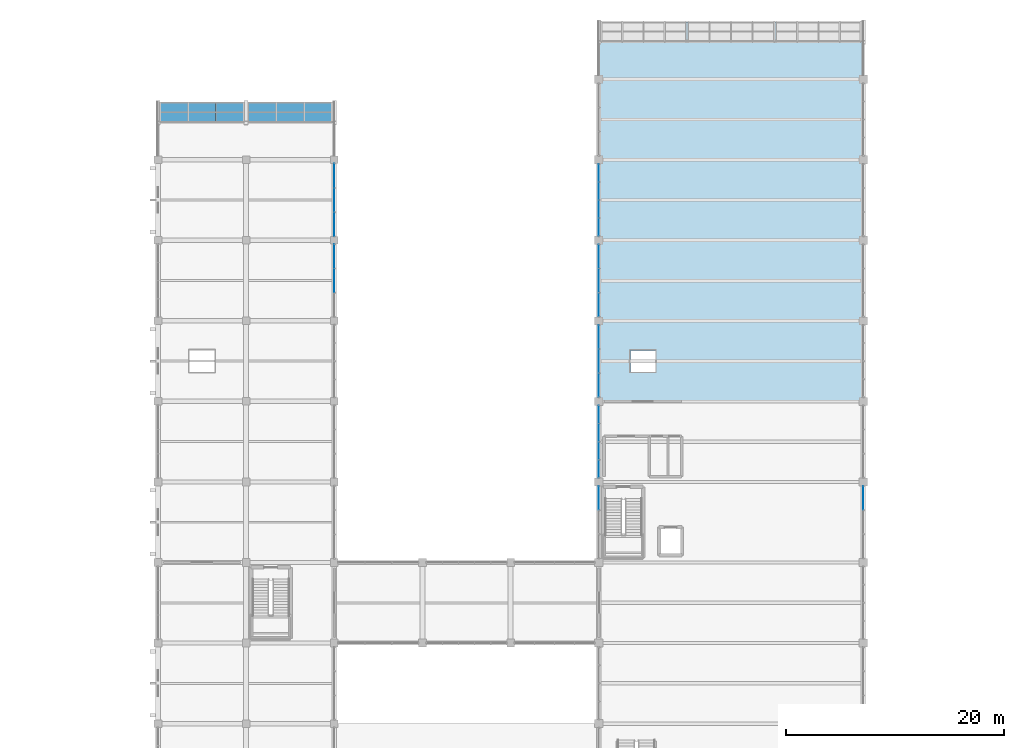
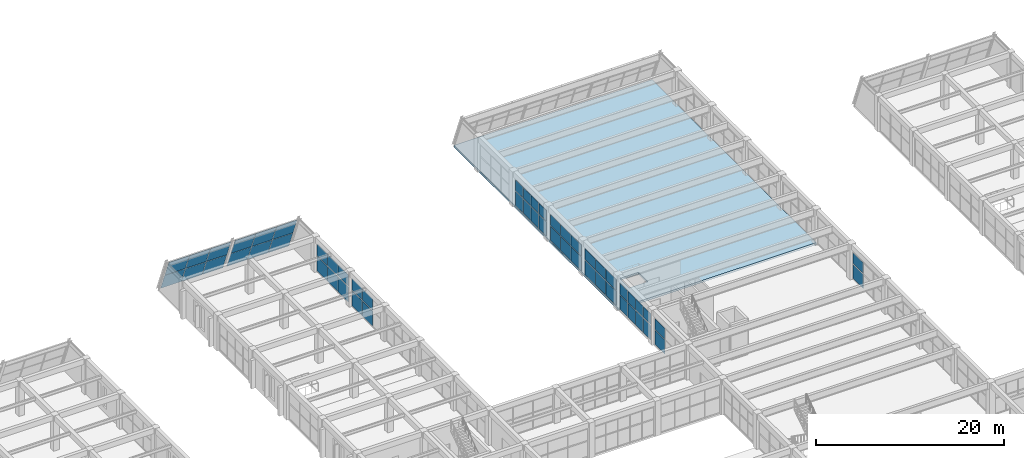
# One storey, part 137 of 161: 54 plates, 1 slab, 10 elements without a shape of their own.
"""IFC4 building model written with IfcOpenShell, lengths in metres."""

from ifc_helpers import new_model, si_unit, direction, frame, origin, origin_2d, place, context, subcontext, project, spatial, polyline, rectangle, outline, extrude, material, layer, layer_set, type_object, element, aggregate, save


model = new_model("IFC4")

# Units and contexts
model_context = context("Model", 3, precision=1e-05, world=origin(), true_north=direction((0.0, 1.0)))
body_context = subcontext(model_context, "Body", "Model", "MODEL_VIEW")
ifc_project = project(units=[si_unit("LENGTHUNIT", "METRE"), si_unit("AREAUNIT", "SQUARE_METRE"), si_unit("VOLUMEUNIT", "CUBIC_METRE"), si_unit("PLANEANGLEUNIT", "RADIAN"), si_unit("MASSUNIT", "GRAM", prefix="KILO")], contexts=[model_context])

# Site, building, storey
site_placement = place(None, origin())
site = spatial("IfcSite", under=ifc_project, at=site_placement, CompositionType="ELEMENT")
building_placement = place(site_placement, origin())
building = spatial("IfcBuilding", under=site, at=building_placement, Name="Cimatlan Art Gallery", CompositionType="ELEMENT")
storey_placement = place(building_placement, frame((0.0, 0.0, 5.39990234375)))
storey = spatial("IfcBuildingStorey", under=building, at=storey_placement, Name="L01", CompositionType="ELEMENT", Elevation=5.39990234375)

# Curtain wall, plates
ifc_material_1 = material(Name="Anodised bronze unitised curtain wall")
curtain_wall_type_1 = type_object("IfcCurtainWallType", Name="CW-V-06642X03577-B4", PredefinedType="NOTDEFINED", material=ifc_material_1)
curtain_wall_1_placement = place(storey_placement, origin())
curtain_wall_1 = element("IfcCurtainWall", 1, at=curtain_wall_1_placement, inside=storey, type_object=curtain_wall_type_1, Name="CW-L01-09-12-W", PredefinedType="NOTDEFINED")
ifc_material_2 = material(Name="Low-E insulated double glazing", Category="glass")
ifc_layer_1 = layer(ifc_material_2, 0.028076171875)
ifc_layer_set_1 = layer_set([ifc_layer_1], Name="Low-E insulated double glazing")
plate_type_1 = type_object("IfcPlateType", Name="PNL-1603X1390", PredefinedType="CURTAIN_PANEL", material=ifc_layer_set_1)
plate_1_placement = place(storey_placement, frame((74.89990234375, 91.709228515625, 2.0654296875), z_axis=(0.0, 0.0, 1.0), x_axis=(0.0, 1.0, 0.0)))
plate_1 = element("IfcPlate", 2, at=plate_1_placement, type_object=plate_type_1, Name="CW-L01-09-12-W-P12", PredefinedType="CURTAIN_PANEL", context=body_context, shape_type="SweptSolid", body=[
    extrude(rectangle(XDim=1.60302734375, YDim=0.028076171875, at=origin_2d()), origin(), (0.0, 0.0, 1.0), 1.389892578125),
])
plate_2_placement = place(storey_placement, frame((74.89990234375, 93.36962890625, 2.0654296875), z_axis=(0.0, 0.0, 1.0), x_axis=(0.0, 1.0, 0.0)))
plate_2 = element("IfcPlate", 3, at=plate_2_placement, type_object=plate_type_1, Name="CW-L01-09-12-W-P22", PredefinedType="CURTAIN_PANEL", context=body_context, shape_type="SweptSolid", body=[
    extrude(rectangle(XDim=1.60302734375, YDim=0.028076171875, at=origin_2d()), origin(), (0.0, 0.0, 1.0), 1.389892578125),
])
plate_3_placement = place(storey_placement, frame((74.89990234375, 95.0302734375, 2.0654296875), z_axis=(0.0, 0.0, 1.0), x_axis=(0.0, 1.0, 0.0)))
plate_3 = element("IfcPlate", 4, at=plate_3_placement, type_object=plate_type_1, Name="CW-L01-09-12-W-P32", PredefinedType="CURTAIN_PANEL", context=body_context, shape_type="SweptSolid", body=[
    extrude(rectangle(XDim=1.60302734375, YDim=0.028076171875, at=origin_2d()), origin(), (0.0, 0.0, 1.0), 1.389892578125),
])
plate_4_placement = place(storey_placement, frame((74.89990234375, 96.690673828125, 2.0654296875), z_axis=(0.0, 0.0, 1.0), x_axis=(0.0, 1.0, 0.0)))
plate_4 = element("IfcPlate", 5, at=plate_4_placement, type_object=plate_type_1, Name="CW-L01-09-12-W-P42", PredefinedType="CURTAIN_PANEL", context=body_context, shape_type="SweptSolid", body=[
    extrude(rectangle(XDim=1.60302734375, YDim=0.028076171875, at=origin_2d()), origin(), (0.0, 0.0, 1.0), 1.389892578125),
])

curtain_wall_type_2 = type_object("IfcCurtainWallType", Name="CW-V-06642X03622-B4", PredefinedType="NOTDEFINED", material=ifc_material_1)
curtain_wall_2_placement = place(storey_placement, origin())
curtain_wall_2 = element("IfcCurtainWall", 6, at=curtain_wall_2_placement, inside=storey, type_object=curtain_wall_type_2, Name="CW-L01-09-09-W", PredefinedType="NOTDEFINED")
ifc_layer_2 = layer(ifc_material_2, 0.028076171875)
ifc_layer_set_2 = layer_set([ifc_layer_2], Name="Low-E insulated double glazing")
plate_type_2 = type_object("IfcPlateType", Name="PNL-1603X1410", PredefinedType="CURTAIN_PANEL", material=ifc_layer_set_2)
plate_5_placement = place(storey_placement, frame((74.89990234375, 69.50927734375, 2.09033203125), z_axis=(0.0, 0.0, 1.0), x_axis=(0.0, 1.0, 0.0)))
plate_5 = element("IfcPlate", 7, at=plate_5_placement, type_object=plate_type_2, Name="CW-L01-09-09-W-P12", PredefinedType="CURTAIN_PANEL", context=body_context, shape_type="SweptSolid", body=[
    extrude(rectangle(XDim=1.60302734375, YDim=0.028076171875, at=origin_2d()), origin(), (0.0, 0.0, 1.0), 1.409912109375),
])
plate_6_placement = place(storey_placement, frame((74.89990234375, 71.169677734375, 2.09033203125), z_axis=(0.0, 0.0, 1.0), x_axis=(0.0, 1.0, 0.0)))
plate_6 = element("IfcPlate", 8, at=plate_6_placement, type_object=plate_type_2, Name="CW-L01-09-09-W-P22", PredefinedType="CURTAIN_PANEL", context=body_context, shape_type="SweptSolid", body=[
    extrude(rectangle(XDim=1.60302734375, YDim=0.028076171875, at=origin_2d()), origin(), (0.0, 0.0, 1.0), 1.409912109375),
])
plate_7_placement = place(storey_placement, frame((74.89990234375, 72.830322265625, 2.09033203125), z_axis=(0.0, 0.0, 1.0), x_axis=(0.0, 1.0, 0.0)))
plate_7 = element("IfcPlate", 9, at=plate_7_placement, type_object=plate_type_2, Name="CW-L01-09-09-W-P32", PredefinedType="CURTAIN_PANEL", context=body_context, shape_type="SweptSolid", body=[
    extrude(rectangle(XDim=1.60302734375, YDim=0.028076171875, at=origin_2d()), origin(), (0.0, 0.0, 1.0), 1.409912109375),
])
plate_8_placement = place(storey_placement, frame((74.89990234375, 74.49072265625, 2.09033203125), z_axis=(0.0, 0.0, 1.0), x_axis=(0.0, 1.0, 0.0)))
plate_8 = element("IfcPlate", 10, at=plate_8_placement, type_object=plate_type_2, Name="CW-L01-09-09-W-P42", PredefinedType="CURTAIN_PANEL", context=body_context, shape_type="SweptSolid", body=[
    extrude(rectangle(XDim=1.60302734375, YDim=0.028076171875, at=origin_2d()), origin(), (0.0, 0.0, 1.0), 1.409912109375),
])

# Plate
ifc_layer_3 = layer(ifc_material_2, 0.028076171875)
ifc_layer_set_3 = layer_set([ifc_layer_3], Name="Low-E insulated double glazing")
plate_type_3 = type_object("IfcPlateType", Name="PNL-1603X1819", PredefinedType="CURTAIN_PANEL", material=ifc_layer_set_3)
plate_9_placement = place(storey_placement, frame((74.89990234375, 91.709228515625, 0.1220703125), z_axis=(0.0, 0.0, 1.0), x_axis=(0.0, 1.0, 0.0)))
plate_9 = element("IfcPlate", 11, at=plate_9_placement, type_object=plate_type_3, Name="CW-L01-09-12-W-P11", PredefinedType="CURTAIN_PANEL", context=body_context, shape_type="SweptSolid", body=[
    extrude(rectangle(XDim=1.60302734375, YDim=0.028076171875, at=origin_2d()), origin(), (0.0, 0.0, 1.0), 1.819091796875),
])

plate_10_placement = place(storey_placement, frame((74.89990234375, 93.36962890625, 0.1220703125), z_axis=(0.0, 0.0, 1.0), x_axis=(0.0, 1.0, 0.0)))
plate_10 = element("IfcPlate", 12, at=plate_10_placement, type_object=plate_type_3, Name="CW-L01-09-12-W-P21", PredefinedType="CURTAIN_PANEL", context=body_context, shape_type="SweptSolid", body=[
    extrude(rectangle(XDim=1.60302734375, YDim=0.028076171875, at=origin_2d()), origin(), (0.0, 0.0, 1.0), 1.819091796875),
])

plate_11_placement = place(storey_placement, frame((74.89990234375, 95.0302734375, 0.1220703125), z_axis=(0.0, 0.0, 1.0), x_axis=(0.0, 1.0, 0.0)))
plate_11 = element("IfcPlate", 13, at=plate_11_placement, type_object=plate_type_3, Name="CW-L01-09-12-W-P31", PredefinedType="CURTAIN_PANEL", context=body_context, shape_type="SweptSolid", body=[
    extrude(rectangle(XDim=1.60302734375, YDim=0.028076171875, at=origin_2d()), origin(), (0.0, 0.0, 1.0), 1.819091796875),
])

plate_12_placement = place(storey_placement, frame((74.89990234375, 96.690673828125, 0.1220703125), z_axis=(0.0, 0.0, 1.0), x_axis=(0.0, 1.0, 0.0)))
plate_12 = element("IfcPlate", 14, at=plate_12_placement, type_object=plate_type_3, Name="CW-L01-09-12-W-P41", PredefinedType="CURTAIN_PANEL", context=body_context, shape_type="SweptSolid", body=[
    extrude(rectangle(XDim=1.60302734375, YDim=0.028076171875, at=origin_2d()), origin(), (0.0, 0.0, 1.0), 1.819091796875),
])

aggregate(curtain_wall_1, [plate_9, plate_1, plate_10, plate_2, plate_11, plate_3, plate_12, plate_4])

ifc_layer_4 = layer(ifc_material_2, 0.028076171875)
ifc_layer_set_4 = layer_set([ifc_layer_4], Name="Low-E insulated double glazing")
plate_type_4 = type_object("IfcPlateType", Name="PNL-1603X1844", PredefinedType="CURTAIN_PANEL", material=ifc_layer_set_4)
plate_13_placement = place(storey_placement, frame((74.89990234375, 69.50927734375, 0.1220703125), z_axis=(0.0, 0.0, 1.0), x_axis=(0.0, 1.0, 0.0)))
plate_13 = element("IfcPlate", 15, at=plate_13_placement, type_object=plate_type_4, Name="CW-L01-09-09-W-P11", PredefinedType="CURTAIN_PANEL", context=body_context, shape_type="SweptSolid", body=[
    extrude(rectangle(XDim=1.60302734375, YDim=0.028076171875, at=origin_2d()), origin(), (0.0, 0.0, 1.0), 1.843994140625),
])

plate_14_placement = place(storey_placement, frame((74.89990234375, 71.169677734375, 0.1220703125), z_axis=(0.0, 0.0, 1.0), x_axis=(0.0, 1.0, 0.0)))
plate_14 = element("IfcPlate", 16, at=plate_14_placement, type_object=plate_type_4, Name="CW-L01-09-09-W-P21", PredefinedType="CURTAIN_PANEL", context=body_context, shape_type="SweptSolid", body=[
    extrude(rectangle(XDim=1.60302734375, YDim=0.028076171875, at=origin_2d()), origin(), (0.0, 0.0, 1.0), 1.843994140625),
])

plate_15_placement = place(storey_placement, frame((74.89990234375, 72.830322265625, 0.1220703125), z_axis=(0.0, 0.0, 1.0), x_axis=(0.0, 1.0, 0.0)))
plate_15 = element("IfcPlate", 17, at=plate_15_placement, type_object=plate_type_4, Name="CW-L01-09-09-W-P31", PredefinedType="CURTAIN_PANEL", context=body_context, shape_type="SweptSolid", body=[
    extrude(rectangle(XDim=1.60302734375, YDim=0.028076171875, at=origin_2d()), origin(), (0.0, 0.0, 1.0), 1.843994140625),
])

plate_16_placement = place(storey_placement, frame((74.89990234375, 74.49072265625, 0.1220703125), z_axis=(0.0, 0.0, 1.0), x_axis=(0.0, 1.0, 0.0)))
plate_16 = element("IfcPlate", 18, at=plate_16_placement, type_object=plate_type_4, Name="CW-L01-09-09-W-P41", PredefinedType="CURTAIN_PANEL", context=body_context, shape_type="SweptSolid", body=[
    extrude(rectangle(XDim=1.60302734375, YDim=0.028076171875, at=origin_2d()), origin(), (0.0, 0.0, 1.0), 1.843994140625),
])

aggregate(curtain_wall_2, [plate_13, plate_5, plate_14, plate_6, plate_15, plate_7, plate_16, plate_8])

# Curtain wall, plate
curtain_wall_type_3 = type_object("IfcCurtainWallType", Name="CW-V-06642X03547-B3", PredefinedType="NOTDEFINED", material=ifc_material_1)
curtain_wall_3_placement = place(storey_placement, origin())
curtain_wall_3 = element("IfcCurtainWall", 19, at=curtain_wall_3_placement, inside=storey, type_object=curtain_wall_type_3, Name="CW-L01-09-08-W", PredefinedType="NOTDEFINED")
ifc_layer_5 = layer(ifc_material_2, 0.028076171875)
ifc_layer_set_5 = layer_set([ifc_layer_5], Name="Low-E insulated double glazing")
plate_type_5 = type_object("IfcPlateType", Name="PNL-2156X1377", PredefinedType="CURTAIN_PANEL", material=ifc_layer_set_5)
plate_17_placement = place(storey_placement, frame((74.89990234375, 66.81396484375, 2.04833984375), z_axis=(0.0, 0.0, 1.0), x_axis=(0.0, 1.0, 0.0)))
plate_17 = element("IfcPlate", 20, at=plate_17_placement, type_object=plate_type_5, Name="CW-L01-09-08-W-P32", PredefinedType="CURTAIN_PANEL", context=body_context, shape_type="SweptSolid", body=[
    extrude(rectangle(XDim=2.156005859375, YDim=0.028076171875, at=origin_2d()), origin(), (0.0, 0.0, 1.0), 1.376953125),
])

curtain_wall_4_placement = place(storey_placement, origin())
curtain_wall_4 = element("IfcCurtainWall", 21, at=curtain_wall_4_placement, inside=storey, type_object=curtain_wall_type_3, Name="CW-L01-11-08-E", PredefinedType="NOTDEFINED")
plate_18_placement = place(storey_placement, frame((99.199951171875, 66.81396484375, 2.04833984375), z_axis=(0.0, 0.0, 1.0), x_axis=(0.0, -1.0, 0.0)))
plate_18 = element("IfcPlate", 22, at=plate_18_placement, type_object=plate_type_5, Name="CW-L01-11-08-E-P12", PredefinedType="CURTAIN_PANEL", context=body_context, shape_type="SweptSolid", body=[
    extrude(rectangle(XDim=2.156005859375, YDim=0.028076171875, at=origin_2d()), origin(), (0.0, 0.0, 1.0), 1.376953125),
])

# Curtain wall, plates
curtain_wall_type_4 = type_object("IfcCurtainWallType", Name="CW-V-06642X03592-B3", PredefinedType="NOTDEFINED", material=ifc_material_1)
curtain_wall_5_placement = place(storey_placement, origin())
curtain_wall_5 = element("IfcCurtainWall", 23, at=curtain_wall_5_placement, inside=storey, type_object=curtain_wall_type_4, Name="CW-L01-09-11-W", PredefinedType="NOTDEFINED")
ifc_layer_6 = layer(ifc_material_2, 0.028076171875)
ifc_layer_set_6 = layer_set([ifc_layer_6], Name="Low-E insulated double glazing")
plate_type_6 = type_object("IfcPlateType", Name="PNL-2156X1397", PredefinedType="CURTAIN_PANEL", material=ifc_layer_set_6)
plate_19_placement = place(storey_placement, frame((74.89990234375, 84.5859375, 2.0732421875), z_axis=(0.0, 0.0, 1.0), x_axis=(0.0, 1.0, 0.0)))
plate_19 = element("IfcPlate", 24, at=plate_19_placement, type_object=plate_type_6, Name="CW-L01-09-11-W-P12", PredefinedType="CURTAIN_PANEL", context=body_context, shape_type="SweptSolid", body=[
    extrude(rectangle(XDim=2.156005859375, YDim=0.028076171875, at=origin_2d()), origin(), (0.0, 0.0, 1.0), 1.39697265625),
])
plate_20_placement = place(storey_placement, frame((74.89990234375, 86.800048828125, 2.0732421875), z_axis=(0.0, 0.0, 1.0), x_axis=(0.0, 1.0, 0.0)))
plate_20 = element("IfcPlate", 25, at=plate_20_placement, type_object=plate_type_6, Name="CW-L01-09-11-W-P22", PredefinedType="CURTAIN_PANEL", context=body_context, shape_type="SweptSolid", body=[
    extrude(rectangle(XDim=2.156005859375, YDim=0.028076171875, at=origin_2d()), origin(), (0.0, 0.0, 1.0), 1.39697265625),
])
plate_21_placement = place(storey_placement, frame((74.89990234375, 89.013916015625, 2.0732421875), z_axis=(0.0, 0.0, 1.0), x_axis=(0.0, 1.0, 0.0)))
plate_21 = element("IfcPlate", 26, at=plate_21_placement, type_object=plate_type_6, Name="CW-L01-09-11-W-P32", PredefinedType="CURTAIN_PANEL", context=body_context, shape_type="SweptSolid", body=[
    extrude(rectangle(XDim=2.156005859375, YDim=0.028076171875, at=origin_2d()), origin(), (0.0, 0.0, 1.0), 1.39697265625),
])

curtain_wall_type_5 = type_object("IfcCurtainWallType", Name="CW-V-06642X03607-B3", PredefinedType="NOTDEFINED", material=ifc_material_1)
curtain_wall_6_placement = place(storey_placement, origin())
curtain_wall_6 = element("IfcCurtainWall", 27, at=curtain_wall_6_placement, inside=storey, type_object=curtain_wall_type_5, Name="CW-L01-09-10-W", PredefinedType="NOTDEFINED")
ifc_layer_7 = layer(ifc_material_2, 0.028076171875)
ifc_layer_set_7 = layer_set([ifc_layer_7], Name="Low-E insulated double glazing")
plate_type_7 = type_object("IfcPlateType", Name="PNL-2156X1403", PredefinedType="CURTAIN_PANEL", material=ifc_layer_set_7)
plate_22_placement = place(storey_placement, frame((74.89990234375, 77.18603515625, 2.08203125), z_axis=(0.0, 0.0, 1.0), x_axis=(0.0, 1.0, 0.0)))
plate_22 = element("IfcPlate", 28, at=plate_22_placement, type_object=plate_type_7, Name="CW-L01-09-10-W-P12", PredefinedType="CURTAIN_PANEL", context=body_context, shape_type="SweptSolid", body=[
    extrude(rectangle(XDim=2.156005859375, YDim=0.028076171875, at=origin_2d()), origin(), (0.0, 0.0, 1.0), 1.403076171875),
])
plate_23_placement = place(storey_placement, frame((74.89990234375, 79.39990234375, 2.08203125), z_axis=(0.0, 0.0, 1.0), x_axis=(0.0, 1.0, 0.0)))
plate_23 = element("IfcPlate", 29, at=plate_23_placement, type_object=plate_type_7, Name="CW-L01-09-10-W-P22", PredefinedType="CURTAIN_PANEL", context=body_context, shape_type="SweptSolid", body=[
    extrude(rectangle(XDim=2.156005859375, YDim=0.028076171875, at=origin_2d()), origin(), (0.0, 0.0, 1.0), 1.403076171875),
])
plate_24_placement = place(storey_placement, frame((74.89990234375, 81.614013671875, 2.08203125), z_axis=(0.0, 0.0, 1.0), x_axis=(0.0, 1.0, 0.0)))
plate_24 = element("IfcPlate", 30, at=plate_24_placement, type_object=plate_type_7, Name="CW-L01-09-10-W-P32", PredefinedType="CURTAIN_PANEL", context=body_context, shape_type="SweptSolid", body=[
    extrude(rectangle(XDim=2.156005859375, YDim=0.028076171875, at=origin_2d()), origin(), (0.0, 0.0, 1.0), 1.403076171875),
])

# Plate
ifc_layer_8 = layer(ifc_material_2, 0.028076171875)
ifc_layer_set_8 = layer_set([ifc_layer_8], Name="Low-E insulated double glazing")
plate_type_8 = type_object("IfcPlateType", Name="PNL-2156X1802", PredefinedType="CURTAIN_PANEL", material=ifc_layer_set_8)
plate_25_placement = place(storey_placement, frame((74.89990234375, 66.81396484375, 0.1220703125), z_axis=(0.0, 0.0, 1.0), x_axis=(0.0, 1.0, 0.0)))
plate_25 = element("IfcPlate", 31, at=plate_25_placement, type_object=plate_type_8, Name="CW-L01-09-08-W-P31", PredefinedType="CURTAIN_PANEL", context=body_context, shape_type="SweptSolid", body=[
    extrude(rectangle(XDim=2.156005859375, YDim=0.028076171875, at=origin_2d()), origin(), (0.0, 0.0, 1.0), 1.802001953125),
])

aggregate(curtain_wall_3, [plate_25, plate_17])

plate_26_placement = place(storey_placement, frame((99.199951171875, 66.81396484375, 0.1220703125), z_axis=(0.0, 0.0, 1.0), x_axis=(0.0, -1.0, 0.0)))
plate_26 = element("IfcPlate", 32, at=plate_26_placement, type_object=plate_type_8, Name="CW-L01-11-08-E-P11", PredefinedType="CURTAIN_PANEL", context=body_context, shape_type="SweptSolid", body=[
    extrude(rectangle(XDim=2.156005859375, YDim=0.028076171875, at=origin_2d()), origin(), (0.0, 0.0, 1.0), 1.802001953125),
])

aggregate(curtain_wall_4, [plate_26, plate_18])

ifc_layer_9 = layer(ifc_material_2, 0.028076171875)
ifc_layer_set_9 = layer_set([ifc_layer_9], Name="Low-E insulated double glazing")
plate_type_9 = type_object("IfcPlateType", Name="PNL-2156X1827", PredefinedType="CURTAIN_PANEL", material=ifc_layer_set_9)
plate_27_placement = place(storey_placement, frame((74.89990234375, 84.5859375, 0.12255859375), z_axis=(0.0, 0.0, 1.0), x_axis=(0.0, 1.0, 0.0)))
plate_27 = element("IfcPlate", 33, at=plate_27_placement, type_object=plate_type_9, Name="CW-L01-09-11-W-P11", PredefinedType="CURTAIN_PANEL", context=body_context, shape_type="SweptSolid", body=[
    extrude(rectangle(XDim=2.156005859375, YDim=0.028076171875, at=origin_2d()), origin(), (0.0, 0.0, 1.0), 1.826904296875),
])

plate_28_placement = place(storey_placement, frame((74.89990234375, 86.800048828125, 0.12255859375), z_axis=(0.0, 0.0, 1.0), x_axis=(0.0, 1.0, 0.0)))
plate_28 = element("IfcPlate", 34, at=plate_28_placement, type_object=plate_type_9, Name="CW-L01-09-11-W-P21", PredefinedType="CURTAIN_PANEL", context=body_context, shape_type="SweptSolid", body=[
    extrude(rectangle(XDim=2.156005859375, YDim=0.028076171875, at=origin_2d()), origin(), (0.0, 0.0, 1.0), 1.826904296875),
])

plate_29_placement = place(storey_placement, frame((74.89990234375, 89.013916015625, 0.12255859375), z_axis=(0.0, 0.0, 1.0), x_axis=(0.0, 1.0, 0.0)))
plate_29 = element("IfcPlate", 35, at=plate_29_placement, type_object=plate_type_9, Name="CW-L01-09-11-W-P31", PredefinedType="CURTAIN_PANEL", context=body_context, shape_type="SweptSolid", body=[
    extrude(rectangle(XDim=2.156005859375, YDim=0.028076171875, at=origin_2d()), origin(), (0.0, 0.0, 1.0), 1.826904296875),
])

aggregate(curtain_wall_5, [plate_27, plate_19, plate_28, plate_20, plate_29, plate_21])

ifc_layer_10 = layer(ifc_material_2, 0.028076171875)
ifc_layer_set_10 = layer_set([ifc_layer_10], Name="Low-E insulated double glazing")
plate_type_10 = type_object("IfcPlateType", Name="PNL-2156X1836", PredefinedType="CURTAIN_PANEL", material=ifc_layer_set_10)
plate_30_placement = place(storey_placement, frame((74.89990234375, 77.18603515625, 0.1220703125), z_axis=(0.0, 0.0, 1.0), x_axis=(0.0, 1.0, 0.0)))
plate_30 = element("IfcPlate", 36, at=plate_30_placement, type_object=plate_type_10, Name="CW-L01-09-10-W-P11", PredefinedType="CURTAIN_PANEL", context=body_context, shape_type="SweptSolid", body=[
    extrude(rectangle(XDim=2.156005859375, YDim=0.028076171875, at=origin_2d()), origin(), (0.0, 0.0, 1.0), 1.8359375),
])

plate_31_placement = place(storey_placement, frame((74.89990234375, 79.39990234375, 0.1220703125), z_axis=(0.0, 0.0, 1.0), x_axis=(0.0, 1.0, 0.0)))
plate_31 = element("IfcPlate", 37, at=plate_31_placement, type_object=plate_type_10, Name="CW-L01-09-10-W-P21", PredefinedType="CURTAIN_PANEL", context=body_context, shape_type="SweptSolid", body=[
    extrude(rectangle(XDim=2.156005859375, YDim=0.028076171875, at=origin_2d()), origin(), (0.0, 0.0, 1.0), 1.8359375),
])

plate_32_placement = place(storey_placement, frame((74.89990234375, 81.614013671875, 0.1220703125), z_axis=(0.0, 0.0, 1.0), x_axis=(0.0, 1.0, 0.0)))
plate_32 = element("IfcPlate", 38, at=plate_32_placement, type_object=plate_type_10, Name="CW-L01-09-10-W-P31", PredefinedType="CURTAIN_PANEL", context=body_context, shape_type="SweptSolid", body=[
    extrude(rectangle(XDim=2.156005859375, YDim=0.028076171875, at=origin_2d()), origin(), (0.0, 0.0, 1.0), 1.8359375),
])

aggregate(curtain_wall_6, [plate_30, plate_22, plate_31, plate_23, plate_32, plate_24])

# Curtain wall, plates
curtain_wall_type_6 = type_object("IfcCurtainWallType", Name="CW-V-06692X03750-B3", PredefinedType="NOTDEFINED", material=ifc_material_1)
curtain_wall_7_placement = place(storey_placement, origin())
curtain_wall_7 = element("IfcCurtainWall", 39, at=curtain_wall_7_placement, inside=storey, type_object=curtain_wall_type_6, Name="CW-L01-05-12-E", PredefinedType="NOTDEFINED")
ifc_layer_11 = layer(ifc_material_2, 0.028076171875)
ifc_layer_set_11 = layer_set([ifc_layer_11], Name="Low-E insulated double glazing")
plate_type_11 = type_object("IfcPlateType", Name="PNL-2173X1466", PredefinedType="CURTAIN_PANEL", material=ifc_layer_set_11)
plate_33_placement = place(storey_placement, frame((50.60009765625, 96.4306640625, 2.162109375), z_axis=(0.0, 0.0, 1.0), x_axis=(0.0, -1.0, 0.0)))
plate_33 = element("IfcPlate", 40, at=plate_33_placement, type_object=plate_type_11, Name="CW-L01-05-12-E-P12", PredefinedType="CURTAIN_PANEL", context=body_context, shape_type="SweptSolid", body=[
    extrude(rectangle(XDim=2.173095703125, YDim=0.028076171875, at=origin_2d()), origin(), (0.0, 0.0, 1.0), 1.466064453125),
])
plate_34_placement = place(storey_placement, frame((50.60009765625, 94.199951171875, 2.162109375), z_axis=(0.0, 0.0, 1.0), x_axis=(0.0, -1.0, 0.0)))
plate_34 = element("IfcPlate", 41, at=plate_34_placement, type_object=plate_type_11, Name="CW-L01-05-12-E-P22", PredefinedType="CURTAIN_PANEL", context=body_context, shape_type="SweptSolid", body=[
    extrude(rectangle(XDim=2.173095703125, YDim=0.028076171875, at=origin_2d()), origin(), (0.0, 0.0, 1.0), 1.466064453125),
])
plate_35_placement = place(storey_placement, frame((50.60009765625, 91.96923828125, 2.162109375), z_axis=(0.0, 0.0, 1.0), x_axis=(0.0, -1.0, 0.0)))
plate_35 = element("IfcPlate", 42, at=plate_35_placement, type_object=plate_type_11, Name="CW-L01-05-12-E-P32", PredefinedType="CURTAIN_PANEL", context=body_context, shape_type="SweptSolid", body=[
    extrude(rectangle(XDim=2.173095703125, YDim=0.028076171875, at=origin_2d()), origin(), (0.0, 0.0, 1.0), 1.466064453125),
])

curtain_wall_type_7 = type_object("IfcCurtainWallType", Name="CW-V-06692X03765-B3", PredefinedType="NOTDEFINED", material=ifc_material_1)
curtain_wall_8_placement = place(storey_placement, origin())
curtain_wall_8 = element("IfcCurtainWall", 43, at=curtain_wall_8_placement, inside=storey, type_object=curtain_wall_type_7, Name="CW-L01-05-11-E", PredefinedType="NOTDEFINED")
ifc_layer_12 = layer(ifc_material_2, 0.028076171875)
ifc_layer_set_12 = layer_set([ifc_layer_12], Name="Low-E insulated double glazing")
plate_type_12 = type_object("IfcPlateType", Name="PNL-2173X1473", PredefinedType="CURTAIN_PANEL", material=ifc_layer_set_12)
plate_36_placement = place(storey_placement, frame((50.60009765625, 89.03076171875, 2.17041015625), z_axis=(0.0, 0.0, 1.0), x_axis=(0.0, -1.0, 0.0)))
plate_36 = element("IfcPlate", 44, at=plate_36_placement, type_object=plate_type_12, Name="CW-L01-05-11-E-P12", PredefinedType="CURTAIN_PANEL", context=body_context, shape_type="SweptSolid", body=[
    extrude(rectangle(XDim=2.173095703125, YDim=0.028076171875, at=origin_2d()), origin(), (0.0, 0.0, 1.0), 1.472900390625),
])
plate_37_placement = place(storey_placement, frame((50.60009765625, 86.800048828125, 2.17041015625), z_axis=(0.0, 0.0, 1.0), x_axis=(0.0, -1.0, 0.0)))
plate_37 = element("IfcPlate", 45, at=plate_37_placement, type_object=plate_type_12, Name="CW-L01-05-11-E-P22", PredefinedType="CURTAIN_PANEL", context=body_context, shape_type="SweptSolid", body=[
    extrude(rectangle(XDim=2.173095703125, YDim=0.028076171875, at=origin_2d()), origin(), (0.0, 0.0, 1.0), 1.472900390625),
])

# Plate
ifc_layer_13 = layer(ifc_material_2, 0.028076171875)
ifc_layer_set_13 = layer_set([ifc_layer_13], Name="Low-E insulated double glazing")
plate_type_13 = type_object("IfcPlateType", Name="PNL-2173X1916", PredefinedType="CURTAIN_PANEL", material=ifc_layer_set_13)
plate_38_placement = place(storey_placement, frame((50.60009765625, 96.4306640625, 0.1220703125), z_axis=(0.0, 0.0, 1.0), x_axis=(0.0, -1.0, 0.0)))
plate_38 = element("IfcPlate", 46, at=plate_38_placement, type_object=plate_type_13, Name="CW-L01-05-12-E-P11", PredefinedType="CURTAIN_PANEL", context=body_context, shape_type="SweptSolid", body=[
    extrude(rectangle(XDim=2.173095703125, YDim=0.028076171875, at=origin_2d()), origin(), (0.0, 0.0, 1.0), 1.916015625),
])

plate_39_placement = place(storey_placement, frame((50.60009765625, 94.199951171875, 0.1220703125), z_axis=(0.0, 0.0, 1.0), x_axis=(0.0, -1.0, 0.0)))
plate_39 = element("IfcPlate", 47, at=plate_39_placement, type_object=plate_type_13, Name="CW-L01-05-12-E-P21", PredefinedType="CURTAIN_PANEL", context=body_context, shape_type="SweptSolid", body=[
    extrude(rectangle(XDim=2.173095703125, YDim=0.028076171875, at=origin_2d()), origin(), (0.0, 0.0, 1.0), 1.916015625),
])

plate_40_placement = place(storey_placement, frame((50.60009765625, 91.96923828125, 0.1220703125), z_axis=(0.0, 0.0, 1.0), x_axis=(0.0, -1.0, 0.0)))
plate_40 = element("IfcPlate", 48, at=plate_40_placement, type_object=plate_type_13, Name="CW-L01-05-12-E-P31", PredefinedType="CURTAIN_PANEL", context=body_context, shape_type="SweptSolid", body=[
    extrude(rectangle(XDim=2.173095703125, YDim=0.028076171875, at=origin_2d()), origin(), (0.0, 0.0, 1.0), 1.916015625),
])

aggregate(curtain_wall_7, [plate_38, plate_33, plate_39, plate_34, plate_40, plate_35])

ifc_layer_14 = layer(ifc_material_2, 0.028076171875)
ifc_layer_set_14 = layer_set([ifc_layer_14], Name="Low-E insulated double glazing")
plate_type_14 = type_object("IfcPlateType", Name="PNL-2173X1924", PredefinedType="CURTAIN_PANEL", material=ifc_layer_set_14)
plate_41_placement = place(storey_placement, frame((50.60009765625, 89.03076171875, 0.1220703125), z_axis=(0.0, 0.0, 1.0), x_axis=(0.0, -1.0, 0.0)))
plate_41 = element("IfcPlate", 49, at=plate_41_placement, type_object=plate_type_14, Name="CW-L01-05-11-E-P11", PredefinedType="CURTAIN_PANEL", context=body_context, shape_type="SweptSolid", body=[
    extrude(rectangle(XDim=2.173095703125, YDim=0.028076171875, at=origin_2d()), origin(), (0.0, 0.0, 1.0), 1.924072265625),
])

plate_42_placement = place(storey_placement, frame((50.60009765625, 86.800048828125, 0.1220703125), z_axis=(0.0, 0.0, 1.0), x_axis=(0.0, -1.0, 0.0)))
plate_42 = element("IfcPlate", 50, at=plate_42_placement, type_object=plate_type_14, Name="CW-L01-05-11-E-P21", PredefinedType="CURTAIN_PANEL", context=body_context, shape_type="SweptSolid", body=[
    extrude(rectangle(XDim=2.173095703125, YDim=0.028076171875, at=origin_2d()), origin(), (0.0, 0.0, 1.0), 1.924072265625),
])

aggregate(curtain_wall_8, [plate_41, plate_36, plate_42, plate_37])

# Curtain wall, plates
ifc_material_3 = material(Name="Raked steel-and-bronze lancet curtain wall", Category="steel")
curtain_wall_type_8 = type_object("IfcCurtainWallType", Name="CW-RAK-07660X04901-B3", PredefinedType="NOTDEFINED", material=ifc_material_3)
curtain_wall_9_placement = place(storey_placement, origin())
curtain_wall_9 = element("IfcCurtainWall", 51, at=curtain_wall_9_placement, inside=storey, type_object=curtain_wall_type_8, Name="CW-PROW-L01-B2-4", PredefinedType="NOTDEFINED")
ifc_material_4 = material(Name="Low-E laminated skylight safety glazing", Category="glass")
ifc_layer_15 = layer(ifc_material_4, 0.031982421875)
ifc_layer_set_15 = layer_set([ifc_layer_15], Name="Low-E laminated skylight safety glazing")
plate_type_15 = type_object("IfcPlateType", Name="PNL-RAK-2513X2352", PredefinedType="CURTAIN_PANEL", material=ifc_layer_set_15)
plate_43_placement = place(storey_placement, frame((34.64013671875, 103.14599609375, 0.068603515625), z_axis=(0.0, 0.930396595291, 0.366554464536), x_axis=(1.0, 0.0, 0.0)))
plate_43 = element("IfcPlate", 52, at=plate_43_placement, type_object=plate_type_15, Name="CW-PROW-L01-B2-4-P11", PredefinedType="CURTAIN_PANEL", context=body_context, shape_type="SweptSolid", body=[
    extrude(outline(polyline([(0.0, 0.0), (2.51318359375, 0.0), (2.51318359375, -2.3524599232234475), (0.0, -2.3524599232234475), (0.0, 0.0)])), origin(), (0.0, 0.0, -1.0), 0.031982421875),
])
plate_44_placement = place(storey_placement, frame((34.64013671875, 102.265869140625, 2.302978515625), z_axis=(0.0, 0.930396595291, 0.366554464536), x_axis=(1.0, 0.0, 0.0)))
plate_44 = element("IfcPlate", 53, at=plate_44_placement, type_object=plate_type_15, Name="CW-PROW-L01-B2-4-P12", PredefinedType="CURTAIN_PANEL", context=body_context, shape_type="SweptSolid", body=[
    extrude(outline(polyline([(0.0, 0.0), (2.51318359375, 0.0), (2.51318359375, -2.3524599232234475), (0.0, -2.3524599232234475), (0.0, 0.0)])), origin(), (0.0, 0.0, -1.0), 0.031982421875),
])
plate_45_placement = place(storey_placement, frame((37.193603515625, 103.14599609375, 0.068603515625), z_axis=(0.0, 0.930396595291, 0.366554464536), x_axis=(1.0, 0.0, 0.0)))
plate_45 = element("IfcPlate", 54, at=plate_45_placement, type_object=plate_type_15, Name="CW-PROW-L01-B2-4-P21", PredefinedType="CURTAIN_PANEL", context=body_context, shape_type="SweptSolid", body=[
    extrude(outline(polyline([(0.0, 0.0), (2.512939453125, 0.0), (2.512939453125, -2.352459923223447), (0.0, -2.352459923223447), (0.0, 0.0)])), origin(), (0.0, 0.0, -1.0), 0.031982421875),
])
plate_46_placement = place(storey_placement, frame((37.193603515625, 102.265869140625, 2.302978515625), z_axis=(0.0, 0.930396595291, 0.366554464536), x_axis=(1.0, 0.0, 0.0)))
plate_46 = element("IfcPlate", 55, at=plate_46_placement, type_object=plate_type_15, Name="CW-PROW-L01-B2-4-P22", PredefinedType="CURTAIN_PANEL", context=body_context, shape_type="SweptSolid", body=[
    extrude(outline(polyline([(0.0, 0.0), (2.512939453125, 0.0), (2.512939453125, -2.352459923223447), (0.0, -2.352459923223447), (0.0, 0.0)])), origin(), (0.0, 0.0, -1.0), 0.031982421875),
])
plate_47_placement = place(storey_placement, frame((39.746826171875, 103.14599609375, 0.068603515625), z_axis=(0.0, 0.930396595291, 0.366554464536), x_axis=(1.0, 0.0, 0.0)))
plate_47 = element("IfcPlate", 56, at=plate_47_placement, type_object=plate_type_15, Name="CW-PROW-L01-B2-4-P31", PredefinedType="CURTAIN_PANEL", context=body_context, shape_type="SweptSolid", body=[
    extrude(outline(polyline([(0.0, 0.0), (2.512939453125, 0.0), (2.512939453125, -2.352459923223447), (0.0, -2.352459923223447), (0.0, 0.0)])), origin(), (0.0, 0.0, -1.0), 0.031982421875),
])
plate_48_placement = place(storey_placement, frame((39.746826171875, 102.265869140625, 2.302978515625), z_axis=(0.0, 0.930396595291, 0.366554464536), x_axis=(1.0, 0.0, 0.0)))
plate_48 = element("IfcPlate", 57, at=plate_48_placement, type_object=plate_type_15, Name="CW-PROW-L01-B2-4-P32", PredefinedType="CURTAIN_PANEL", context=body_context, shape_type="SweptSolid", body=[
    extrude(outline(polyline([(0.0, 0.0), (2.512939453125, 0.0), (2.512939453125, -2.352459923223447), (0.0, -2.352459923223447), (0.0, 0.0)])), origin(), (0.0, 0.0, -1.0), 0.031982421875),
])
aggregate(curtain_wall_9, [plate_43, plate_44, plate_45, plate_46, plate_47, plate_48])

curtain_wall_10_placement = place(storey_placement, origin())
curtain_wall_10 = element("IfcCurtainWall", 58, at=curtain_wall_10_placement, inside=storey, type_object=curtain_wall_type_8, Name="CW-PROW-L01-B2-5", PredefinedType="NOTDEFINED")
plate_49_placement = place(storey_placement, frame((42.740234375, 103.14599609375, 0.068603515625), z_axis=(0.0, 0.930396595291, 0.366554464536), x_axis=(1.0, 0.0, 0.0)))
plate_49 = element("IfcPlate", 59, at=plate_49_placement, type_object=plate_type_15, Name="CW-PROW-L01-B2-5-P11", PredefinedType="CURTAIN_PANEL", context=body_context, shape_type="SweptSolid", body=[
    extrude(outline(polyline([(0.0, 0.0), (2.512939453125, 0.0), (2.512939453125, -2.352459923223447), (0.0, -2.352459923223447), (0.0, 0.0)])), origin(), (0.0, 0.0, -1.0), 0.031982421875),
])
plate_50_placement = place(storey_placement, frame((42.740234375, 102.265869140625, 2.302978515625), z_axis=(0.0, 0.930396595291, 0.366554464536), x_axis=(1.0, 0.0, 0.0)))
plate_50 = element("IfcPlate", 60, at=plate_50_placement, type_object=plate_type_15, Name="CW-PROW-L01-B2-5-P12", PredefinedType="CURTAIN_PANEL", context=body_context, shape_type="SweptSolid", body=[
    extrude(outline(polyline([(0.0, 0.0), (2.512939453125, 0.0), (2.512939453125, -2.352459923223447), (0.0, -2.352459923223447), (0.0, 0.0)])), origin(), (0.0, 0.0, -1.0), 0.031982421875),
])
plate_51_placement = place(storey_placement, frame((45.29345703125, 103.14599609375, 0.068603515625), z_axis=(0.0, 0.930396595291, 0.366554464536), x_axis=(1.0, 0.0, 0.0)))
plate_51 = element("IfcPlate", 61, at=plate_51_placement, type_object=plate_type_15, Name="CW-PROW-L01-B2-5-P21", PredefinedType="CURTAIN_PANEL", context=body_context, shape_type="SweptSolid", body=[
    extrude(outline(polyline([(0.0, 0.0), (2.512939453125, 0.0), (2.512939453125, -2.352459923223447), (0.0, -2.352459923223447), (0.0, 0.0)])), origin(), (0.0, 0.0, -1.0), 0.031982421875),
])
plate_52_placement = place(storey_placement, frame((45.29345703125, 102.265869140625, 2.302978515625), z_axis=(0.0, 0.930396595291, 0.366554464536), x_axis=(1.0, 0.0, 0.0)))
plate_52 = element("IfcPlate", 62, at=plate_52_placement, type_object=plate_type_15, Name="CW-PROW-L01-B2-5-P22", PredefinedType="CURTAIN_PANEL", context=body_context, shape_type="SweptSolid", body=[
    extrude(outline(polyline([(0.0, 0.0), (2.512939453125, 0.0), (2.512939453125, -2.352459923223447), (0.0, -2.352459923223447), (0.0, 0.0)])), origin(), (0.0, 0.0, -1.0), 0.031982421875),
])
plate_53_placement = place(storey_placement, frame((47.8466796875, 103.14599609375, 0.068603515625), z_axis=(0.0, 0.930396595291, 0.366554464536), x_axis=(1.0, 0.0, 0.0)))
plate_53 = element("IfcPlate", 63, at=plate_53_placement, type_object=plate_type_15, Name="CW-PROW-L01-B2-5-P31", PredefinedType="CURTAIN_PANEL", context=body_context, shape_type="SweptSolid", body=[
    extrude(outline(polyline([(0.0, 0.0), (2.51318359375, 0.0), (2.51318359375, -2.3524599232234475), (0.0, -2.3524599232234475), (0.0, 0.0)])), origin(), (0.0, 0.0, -1.0), 0.031982421875),
])
plate_54_placement = place(storey_placement, frame((47.8466796875, 102.265869140625, 2.302978515625), z_axis=(0.0, 0.930396595291, 0.366554464536), x_axis=(1.0, 0.0, 0.0)))
plate_54 = element("IfcPlate", 64, at=plate_54_placement, type_object=plate_type_15, Name="CW-PROW-L01-B2-5-P32", PredefinedType="CURTAIN_PANEL", context=body_context, shape_type="SweptSolid", body=[
    extrude(outline(polyline([(0.0, 0.0), (2.51318359375, 0.0), (2.51318359375, -2.3524599232234475), (0.0, -2.3524599232234475), (0.0, 0.0)])), origin(), (0.0, 0.0, -1.0), 0.031982421875),
])
aggregate(curtain_wall_10, [plate_49, plate_50, plate_51, plate_52, plate_53, plate_54])

# Slab
ifc_material_5 = material(Name="Concrete C35/45", Category="concrete")
ifc_layer_16 = layer(ifc_material_5, 0.264892578125)
ifc_layer_set_16 = layer_set([ifc_layer_16], Name="Concrete C35/45")
slab_type = type_object("IfcSlabType", Name="SLB-FLR-L01", PredefinedType="FLOOR", material=ifc_layer_set_16)
slab_placement = place(storey_placement, frame((0.0, 0.0, -0.264892578125)))
element("IfcSlab", 65, at=slab_placement, inside=storey, type_object=slab_type, Name="SLB-L01-B3N", PredefinedType="FLOOR", context=body_context, shape_type="SweptSolid", body=[
    extrude(outline(polyline([(74.89990234375, 75.699951171875), (99.199951171875, 75.699951171875), (99.199951171875, 110.572998046875), (74.89990234375, 110.572998046875), (74.89990234375, 75.699951171875)]), holes=[polyline([(77.800048828125, 78.39990234375), (80.10009765625, 78.39990234375), (80.10009765625, 80.39990234375), (77.800048828125, 80.39990234375), (77.800048828125, 78.39990234375)])]), origin(), (0.0, 0.0, 1.0), 0.264892578125),
])

save(model, "model.ifc")
